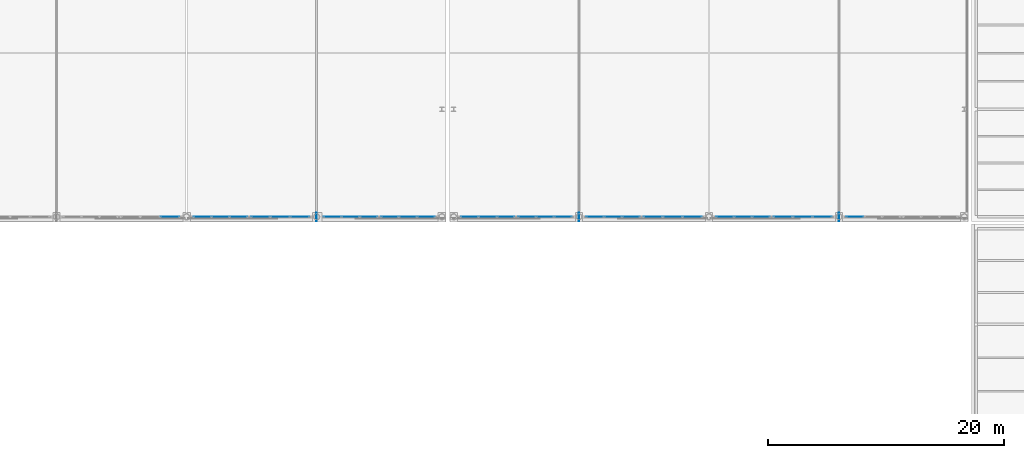
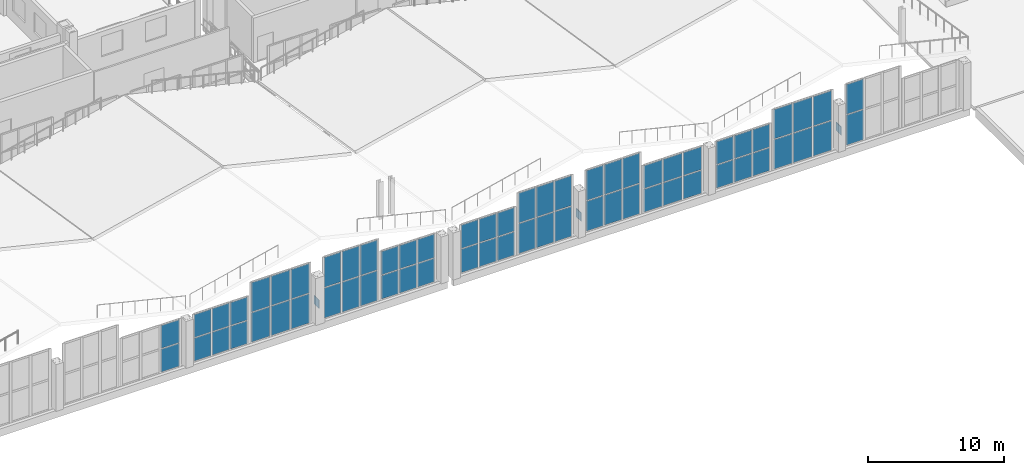
# One storey, part 81 of 120: 67 plates, 12 elements without a shape of their own.
"""IFC4 building model written with IfcOpenShell, lengths in metres."""

from ifc_helpers import new_model, si_unit, direction, frame, origin, origin_2d, place, context, subcontext, project, spatial, rectangle, extrude, material, layer, layer_set, type_object, element, aggregate, save


model = new_model("IFC4")

# Units and contexts
model_context = context("Model", 3, precision=1e-05, world=origin(), true_north=direction((0.0, 1.0)))
body_context = subcontext(model_context, "Body", "Model", "MODEL_VIEW")
ifc_project = project(units=[si_unit("LENGTHUNIT", "METRE"), si_unit("AREAUNIT", "SQUARE_METRE"), si_unit("VOLUMEUNIT", "CUBIC_METRE"), si_unit("PLANEANGLEUNIT", "RADIAN"), si_unit("MASSUNIT", "GRAM", prefix="KILO")], contexts=[model_context])

# Site, building, storey
site_placement = place(None, origin())
site = spatial("IfcSite", under=ifc_project, at=site_placement, CompositionType="ELEMENT")
building_placement = place(site_placement, origin())
building = spatial("IfcBuilding", under=site, at=building_placement, Name="Caurita Quay Ferry Terminal", CompositionType="ELEMENT")
storey_placement = place(building_placement, frame((0.0, 0.0, 9.89990234375)))
storey = spatial("IfcBuildingStorey", under=building, at=storey_placement, Name="L02", CompositionType="ELEMENT", Elevation=9.89990234375)

# Curtain wall, plates
ifc_material_1 = material(Name="Laminated solar-control insulated glass", Category="glass")
curtain_wall_type_1 = type_object("IfcCurtainWallType", Name="CW-SYS-04", PredefinedType="NOTDEFINED", material=ifc_material_1)
curtain_wall_1_placement = place(storey_placement, origin())
curtain_wall_1 = element("IfcCurtainWall", 1, at=curtain_wall_1_placement, inside=storey, type_object=curtain_wall_type_1, Name="Folded Roof Clerestory FB-03-S4", PredefinedType="NOTDEFINED")
ifc_layer_1 = layer(ifc_material_1, 0.028076171875, Name="Laminated low-e hurricane-rated glazing unit 28 mm")
ifc_layer_set_1 = layer_set([ifc_layer_1], Name="Laminated solar-control insulated glass")
plate_type_1 = type_object("IfcPlateType", Name="CW-PNL-28", PredefinedType="CURTAIN_PANEL", material=ifc_layer_set_1)
plate_1_placement = place(storey_placement, frame((64.589599609375, 34.60009765625, 0.0732421875), z_axis=(0.0, 0.0, 1.0), x_axis=(1.0, 0.0, 0.0)))
plate_1 = element("IfcPlate", 2, at=plate_1_placement, type_object=plate_type_1, Name="CW-CLR-020 Glazing Panel 5", PredefinedType="CURTAIN_PANEL", context=body_context, shape_type="SweptSolid", body=[
    extrude(rectangle(XDim=1.57470703125, YDim=0.028076171875, at=origin_2d()), origin(), (0.0, 0.0, 1.0), 2.048095703125),
])
plate_2_placement = place(storey_placement, frame((64.589599609375, 34.60009765625, 2.19189453125), z_axis=(0.0, 0.0, 1.0), x_axis=(1.0, 0.0, 0.0)))
plate_2 = element("IfcPlate", 3, at=plate_2_placement, type_object=plate_type_1, Name="CW-CLR-020 Glazing Panel 6", PredefinedType="CURTAIN_PANEL", context=body_context, shape_type="SweptSolid", body=[
    extrude(rectangle(XDim=1.57470703125, YDim=0.028076171875, at=origin_2d()), origin(), (0.0, 0.0, 1.0), 2.048095703125),
])
aggregate(curtain_wall_1, [plate_1, plate_2])

curtain_wall_type_2 = type_object("IfcCurtainWallType", Name="CW-SYS-01", PredefinedType="NOTDEFINED", material=ifc_material_1)
curtain_wall_2_placement = place(storey_placement, origin())
curtain_wall_2 = element("IfcCurtainWall", 4, at=curtain_wall_2_placement, inside=storey, type_object=curtain_wall_type_2, Name="Folded Roof Clerestory FB-04-S1", PredefinedType="NOTDEFINED")
plate_3_placement = place(storey_placement, frame((67.34375, 34.60009765625, 0.0732421875), z_axis=(0.0, 0.0, 1.0), x_axis=(1.0, 0.0, 0.0)))
plate_3 = element("IfcPlate", 5, at=plate_3_placement, type_object=plate_type_1, Name="CW-CLR-025 Glazing Panel 1", PredefinedType="CURTAIN_PANEL", context=body_context, shape_type="SweptSolid", body=[
    extrude(rectangle(XDim=1.44140625, YDim=0.028076171875, at=origin_2d()), origin(), (0.0, 0.0, 1.0), 2.048095703125),
])
plate_4_placement = place(storey_placement, frame((67.34375, 34.60009765625, 2.19189453125), z_axis=(0.0, 0.0, 1.0), x_axis=(1.0, 0.0, 0.0)))
plate_4 = element("IfcPlate", 6, at=plate_4_placement, type_object=plate_type_1, Name="CW-CLR-025 Glazing Panel 2", PredefinedType="CURTAIN_PANEL", context=body_context, shape_type="SweptSolid", body=[
    extrude(rectangle(XDim=1.44140625, YDim=0.028076171875, at=origin_2d()), origin(), (0.0, 0.0, 1.0), 2.048095703125),
])
plate_5_placement = place(storey_placement, frame((68.875, 34.60009765625, 0.0732421875), z_axis=(0.0, 0.0, 1.0), x_axis=(1.0, 0.0, 0.0)))
plate_5 = element("IfcPlate", 7, at=plate_5_placement, type_object=plate_type_1, Name="CW-CLR-025 Glazing Panel 3", PredefinedType="CURTAIN_PANEL", context=body_context, shape_type="SweptSolid", body=[
    extrude(rectangle(XDim=1.47900390625, YDim=0.028076171875, at=origin_2d()), origin(), (0.0, 0.0, 1.0), 2.048095703125),
])
plate_6_placement = place(storey_placement, frame((68.875, 34.60009765625, 2.19189453125), z_axis=(0.0, 0.0, 1.0), x_axis=(1.0, 0.0, 0.0)))
plate_6 = element("IfcPlate", 8, at=plate_6_placement, type_object=plate_type_1, Name="CW-CLR-025 Glazing Panel 4", PredefinedType="CURTAIN_PANEL", context=body_context, shape_type="SweptSolid", body=[
    extrude(rectangle(XDim=1.47900390625, YDim=0.028076171875, at=origin_2d()), origin(), (0.0, 0.0, 1.0), 2.048095703125),
])
plate_7_placement = place(storey_placement, frame((70.40625, 34.60009765625, 0.0732421875), z_axis=(0.0, 0.0, 1.0), x_axis=(1.0, 0.0, 0.0)))
plate_7 = element("IfcPlate", 9, at=plate_7_placement, type_object=plate_type_1, Name="CW-CLR-025 Glazing Panel 5", PredefinedType="CURTAIN_PANEL", context=body_context, shape_type="SweptSolid", body=[
    extrude(rectangle(XDim=1.44140625, YDim=0.028076171875, at=origin_2d()), origin(), (0.0, 0.0, 1.0), 2.048095703125),
])
plate_8_placement = place(storey_placement, frame((70.40625, 34.60009765625, 2.19189453125), z_axis=(0.0, 0.0, 1.0), x_axis=(1.0, 0.0, 0.0)))
plate_8 = element("IfcPlate", 10, at=plate_8_placement, type_object=plate_type_1, Name="CW-CLR-025 Glazing Panel 6", PredefinedType="CURTAIN_PANEL", context=body_context, shape_type="SweptSolid", body=[
    extrude(rectangle(XDim=1.44140625, YDim=0.028076171875, at=origin_2d()), origin(), (0.0, 0.0, 1.0), 2.048095703125),
])
aggregate(curtain_wall_2, [plate_3, plate_4, plate_5, plate_6, plate_7, plate_8])

curtain_wall_type_3 = type_object("IfcCurtainWallType", Name="CW-SYS-02", PredefinedType="NOTDEFINED", material=ifc_material_1)
curtain_wall_3_placement = place(storey_placement, origin())
curtain_wall_3 = element("IfcCurtainWall", 11, at=curtain_wall_3_placement, inside=storey, type_object=curtain_wall_type_3, Name="Folded Roof Clerestory FB-04-S2", PredefinedType="NOTDEFINED")
plate_9_placement = place(storey_placement, frame((72.260498046875, 34.60009765625, 0.0732421875), z_axis=(0.0, 0.0, 1.0), x_axis=(1.0, 0.0, 0.0)))
plate_9 = element("IfcPlate", 12, at=plate_9_placement, type_object=plate_type_1, Name="CW-CLR-026 Glazing Panel 1", PredefinedType="CURTAIN_PANEL", context=body_context, shape_type="SweptSolid", body=[
    extrude(rectangle(XDim=1.57470703125, YDim=0.028076171875, at=origin_2d()), origin(), (0.0, 0.0, 1.0), 2.6298828125),
])
plate_10_placement = place(storey_placement, frame((72.260498046875, 34.60009765625, 2.774169921875), z_axis=(0.0, 0.0, 1.0), x_axis=(1.0, 0.0, 0.0)))
plate_10 = element("IfcPlate", 13, at=plate_10_placement, type_object=plate_type_1, Name="CW-CLR-026 Glazing Panel 2", PredefinedType="CURTAIN_PANEL", context=body_context, shape_type="SweptSolid", body=[
    extrude(rectangle(XDim=1.57470703125, YDim=0.028076171875, at=origin_2d()), origin(), (0.0, 0.0, 1.0), 2.6298828125),
])
plate_11_placement = place(storey_placement, frame((73.925048828125, 34.60009765625, 0.0732421875), z_axis=(0.0, 0.0, 1.0), x_axis=(1.0, 0.0, 0.0)))
plate_11 = element("IfcPlate", 14, at=plate_11_placement, type_object=plate_type_1, Name="CW-CLR-026 Glazing Panel 3", PredefinedType="CURTAIN_PANEL", context=body_context, shape_type="SweptSolid", body=[
    extrude(rectangle(XDim=1.6123046875, YDim=0.028076171875, at=origin_2d()), origin(), (0.0, 0.0, 1.0), 2.6298828125),
])
plate_12_placement = place(storey_placement, frame((73.925048828125, 34.60009765625, 2.774169921875), z_axis=(0.0, 0.0, 1.0), x_axis=(1.0, 0.0, 0.0)))
plate_12 = element("IfcPlate", 15, at=plate_12_placement, type_object=plate_type_1, Name="CW-CLR-026 Glazing Panel 4", PredefinedType="CURTAIN_PANEL", context=body_context, shape_type="SweptSolid", body=[
    extrude(rectangle(XDim=1.6123046875, YDim=0.028076171875, at=origin_2d()), origin(), (0.0, 0.0, 1.0), 2.6298828125),
])
plate_13_placement = place(storey_placement, frame((75.589599609375, 34.60009765625, 0.0732421875), z_axis=(0.0, 0.0, 1.0), x_axis=(1.0, 0.0, 0.0)))
plate_13 = element("IfcPlate", 16, at=plate_13_placement, type_object=plate_type_1, Name="CW-CLR-026 Glazing Panel 5", PredefinedType="CURTAIN_PANEL", context=body_context, shape_type="SweptSolid", body=[
    extrude(rectangle(XDim=1.57470703125, YDim=0.028076171875, at=origin_2d()), origin(), (0.0, 0.0, 1.0), 2.6298828125),
])
plate_14_placement = place(storey_placement, frame((75.589599609375, 34.60009765625, 2.774169921875), z_axis=(0.0, 0.0, 1.0), x_axis=(1.0, 0.0, 0.0)))
plate_14 = element("IfcPlate", 17, at=plate_14_placement, type_object=plate_type_1, Name="CW-CLR-026 Glazing Panel 6", PredefinedType="CURTAIN_PANEL", context=body_context, shape_type="SweptSolid", body=[
    extrude(rectangle(XDim=1.57470703125, YDim=0.028076171875, at=origin_2d()), origin(), (0.0, 0.0, 1.0), 2.6298828125),
])
aggregate(curtain_wall_3, [plate_9, plate_10, plate_11, plate_12, plate_13, plate_14])

curtain_wall_type_4 = type_object("IfcCurtainWallType", Name="CW-SYS-03", PredefinedType="NOTDEFINED", material=ifc_material_1)
curtain_wall_4_placement = place(storey_placement, origin())
curtain_wall_4 = element("IfcCurtainWall", 18, at=curtain_wall_4_placement, inside=storey, type_object=curtain_wall_type_4, Name="Folded Roof Clerestory FB-04-S3", PredefinedType="NOTDEFINED")
plate_15_placement = place(storey_placement, frame((78.34375, 34.60009765625, 0.0732421875), z_axis=(0.0, 0.0, 1.0), x_axis=(1.0, 0.0, 0.0)))
plate_15 = element("IfcPlate", 19, at=plate_15_placement, type_object=plate_type_1, Name="CW-CLR-027 Glazing Panel 1", PredefinedType="CURTAIN_PANEL", context=body_context, shape_type="SweptSolid", body=[
    extrude(rectangle(XDim=1.44140625, YDim=0.028076171875, at=origin_2d()), origin(), (0.0, 0.0, 1.0), 2.677978515625),
])
plate_16_placement = place(storey_placement, frame((78.34375, 34.60009765625, 2.822265625), z_axis=(0.0, 0.0, 1.0), x_axis=(1.0, 0.0, 0.0)))
plate_16 = element("IfcPlate", 20, at=plate_16_placement, type_object=plate_type_1, Name="CW-CLR-027 Glazing Panel 2", PredefinedType="CURTAIN_PANEL", context=body_context, shape_type="SweptSolid", body=[
    extrude(rectangle(XDim=1.44140625, YDim=0.028076171875, at=origin_2d()), origin(), (0.0, 0.0, 1.0), 2.677978515625),
])
plate_17_placement = place(storey_placement, frame((79.875, 34.60009765625, 0.0732421875), z_axis=(0.0, 0.0, 1.0), x_axis=(1.0, 0.0, 0.0)))
plate_17 = element("IfcPlate", 21, at=plate_17_placement, type_object=plate_type_1, Name="CW-CLR-027 Glazing Panel 3", PredefinedType="CURTAIN_PANEL", context=body_context, shape_type="SweptSolid", body=[
    extrude(rectangle(XDim=1.47900390625, YDim=0.028076171875, at=origin_2d()), origin(), (0.0, 0.0, 1.0), 2.677978515625),
])
plate_18_placement = place(storey_placement, frame((79.875, 34.60009765625, 2.822265625), z_axis=(0.0, 0.0, 1.0), x_axis=(1.0, 0.0, 0.0)))
plate_18 = element("IfcPlate", 22, at=plate_18_placement, type_object=plate_type_1, Name="CW-CLR-027 Glazing Panel 4", PredefinedType="CURTAIN_PANEL", context=body_context, shape_type="SweptSolid", body=[
    extrude(rectangle(XDim=1.47900390625, YDim=0.028076171875, at=origin_2d()), origin(), (0.0, 0.0, 1.0), 2.677978515625),
])
plate_19_placement = place(storey_placement, frame((81.40625, 34.60009765625, 0.0732421875), z_axis=(0.0, 0.0, 1.0), x_axis=(1.0, 0.0, 0.0)))
plate_19 = element("IfcPlate", 23, at=plate_19_placement, type_object=plate_type_1, Name="CW-CLR-027 Glazing Panel 5", PredefinedType="CURTAIN_PANEL", context=body_context, shape_type="SweptSolid", body=[
    extrude(rectangle(XDim=1.44140625, YDim=0.028076171875, at=origin_2d()), origin(), (0.0, 0.0, 1.0), 2.677978515625),
])
plate_20_placement = place(storey_placement, frame((81.40625, 34.60009765625, 2.822265625), z_axis=(0.0, 0.0, 1.0), x_axis=(1.0, 0.0, 0.0)))
plate_20 = element("IfcPlate", 24, at=plate_20_placement, type_object=plate_type_1, Name="CW-CLR-027 Glazing Panel 6", PredefinedType="CURTAIN_PANEL", context=body_context, shape_type="SweptSolid", body=[
    extrude(rectangle(XDim=1.44140625, YDim=0.028076171875, at=origin_2d()), origin(), (0.0, 0.0, 1.0), 2.677978515625),
])
aggregate(curtain_wall_4, [plate_15, plate_16, plate_17, plate_18, plate_19, plate_20])

curtain_wall_type_5 = type_object("IfcCurtainWallType", Name="CW-SYS-07", PredefinedType="NOTDEFINED", material=ifc_material_1)
curtain_wall_5_placement = place(storey_placement, origin())
curtain_wall_5 = element("IfcCurtainWall", 25, at=curtain_wall_5_placement, inside=storey, type_object=curtain_wall_type_5, Name="Folded Roof Clerestory FB-04-S4", PredefinedType="NOTDEFINED")
plate_21_placement = place(storey_placement, frame((83.19384765625, 34.60009765625, 0.0732421875), z_axis=(0.0, 0.0, 1.0), x_axis=(1.0, 0.0, 0.0)))
plate_21 = element("IfcPlate", 26, at=plate_21_placement, type_object=plate_type_1, Name="CW-CLR-028 Glazing Panel 1", PredefinedType="CURTAIN_PANEL", context=body_context, shape_type="SweptSolid", body=[
    extrude(rectangle(XDim=1.44140625, YDim=0.028076171875, at=origin_2d()), origin(), (0.0, 0.0, 1.0), 2.095947265625),
])
plate_22_placement = place(storey_placement, frame((83.19384765625, 34.60009765625, 2.240234375), z_axis=(0.0, 0.0, 1.0), x_axis=(1.0, 0.0, 0.0)))
plate_22 = element("IfcPlate", 27, at=plate_22_placement, type_object=plate_type_1, Name="CW-CLR-028 Glazing Panel 2", PredefinedType="CURTAIN_PANEL", context=body_context, shape_type="SweptSolid", body=[
    extrude(rectangle(XDim=1.44140625, YDim=0.028076171875, at=origin_2d()), origin(), (0.0, 0.0, 1.0), 2.095947265625),
])
plate_23_placement = place(storey_placement, frame((84.72509765625, 34.60009765625, 0.0732421875), z_axis=(0.0, 0.0, 1.0), x_axis=(1.0, 0.0, 0.0)))
plate_23 = element("IfcPlate", 28, at=plate_23_placement, type_object=plate_type_1, Name="CW-CLR-028 Glazing Panel 3", PredefinedType="CURTAIN_PANEL", context=body_context, shape_type="SweptSolid", body=[
    extrude(rectangle(XDim=1.47900390625, YDim=0.028076171875, at=origin_2d()), origin(), (0.0, 0.0, 1.0), 2.095947265625),
])
plate_24_placement = place(storey_placement, frame((84.72509765625, 34.60009765625, 2.240234375), z_axis=(0.0, 0.0, 1.0), x_axis=(1.0, 0.0, 0.0)))
plate_24 = element("IfcPlate", 29, at=plate_24_placement, type_object=plate_type_1, Name="CW-CLR-028 Glazing Panel 4", PredefinedType="CURTAIN_PANEL", context=body_context, shape_type="SweptSolid", body=[
    extrude(rectangle(XDim=1.47900390625, YDim=0.028076171875, at=origin_2d()), origin(), (0.0, 0.0, 1.0), 2.095947265625),
])
plate_25_placement = place(storey_placement, frame((86.256103515625, 34.60009765625, 0.0732421875), z_axis=(0.0, 0.0, 1.0), x_axis=(1.0, 0.0, 0.0)))
plate_25 = element("IfcPlate", 30, at=plate_25_placement, type_object=plate_type_1, Name="CW-CLR-028 Glazing Panel 5", PredefinedType="CURTAIN_PANEL", context=body_context, shape_type="SweptSolid", body=[
    extrude(rectangle(XDim=1.44140625, YDim=0.028076171875, at=origin_2d()), origin(), (0.0, 0.0, 1.0), 2.095947265625),
])
plate_26_placement = place(storey_placement, frame((86.256103515625, 34.60009765625, 2.240234375), z_axis=(0.0, 0.0, 1.0), x_axis=(1.0, 0.0, 0.0)))
plate_26 = element("IfcPlate", 31, at=plate_26_placement, type_object=plate_type_1, Name="CW-CLR-028 Glazing Panel 6", PredefinedType="CURTAIN_PANEL", context=body_context, shape_type="SweptSolid", body=[
    extrude(rectangle(XDim=1.44140625, YDim=0.028076171875, at=origin_2d()), origin(), (0.0, 0.0, 1.0), 2.095947265625),
])
aggregate(curtain_wall_5, [plate_21, plate_22, plate_23, plate_24, plate_25, plate_26])

curtain_wall_6_placement = place(storey_placement, origin())
curtain_wall_6 = element("IfcCurtainWall", 32, at=curtain_wall_6_placement, inside=storey, type_object=curtain_wall_type_5, Name="Folded Roof Clerestory FB-05-S1", PredefinedType="NOTDEFINED")
plate_27_placement = place(storey_placement, frame((89.94384765625, 34.60009765625, 0.0732421875), z_axis=(0.0, 0.0, 1.0), x_axis=(1.0, 0.0, 0.0)))
plate_27 = element("IfcPlate", 33, at=plate_27_placement, type_object=plate_type_1, Name="CW-CLR-033 Glazing Panel 1", PredefinedType="CURTAIN_PANEL", context=body_context, shape_type="SweptSolid", body=[
    extrude(rectangle(XDim=1.44140625, YDim=0.028076171875, at=origin_2d()), origin(), (0.0, 0.0, 1.0), 2.095947265625),
])
plate_28_placement = place(storey_placement, frame((89.94384765625, 34.60009765625, 2.240234375), z_axis=(0.0, 0.0, 1.0), x_axis=(1.0, 0.0, 0.0)))
plate_28 = element("IfcPlate", 34, at=plate_28_placement, type_object=plate_type_1, Name="CW-CLR-033 Glazing Panel 2", PredefinedType="CURTAIN_PANEL", context=body_context, shape_type="SweptSolid", body=[
    extrude(rectangle(XDim=1.44140625, YDim=0.028076171875, at=origin_2d()), origin(), (0.0, 0.0, 1.0), 2.095947265625),
])
plate_29_placement = place(storey_placement, frame((91.47509765625, 34.60009765625, 0.0732421875), z_axis=(0.0, 0.0, 1.0), x_axis=(1.0, 0.0, 0.0)))
plate_29 = element("IfcPlate", 35, at=plate_29_placement, type_object=plate_type_1, Name="CW-CLR-033 Glazing Panel 3", PredefinedType="CURTAIN_PANEL", context=body_context, shape_type="SweptSolid", body=[
    extrude(rectangle(XDim=1.47900390625, YDim=0.028076171875, at=origin_2d()), origin(), (0.0, 0.0, 1.0), 2.095947265625),
])
plate_30_placement = place(storey_placement, frame((91.47509765625, 34.60009765625, 2.240234375), z_axis=(0.0, 0.0, 1.0), x_axis=(1.0, 0.0, 0.0)))
plate_30 = element("IfcPlate", 36, at=plate_30_placement, type_object=plate_type_1, Name="CW-CLR-033 Glazing Panel 4", PredefinedType="CURTAIN_PANEL", context=body_context, shape_type="SweptSolid", body=[
    extrude(rectangle(XDim=1.47900390625, YDim=0.028076171875, at=origin_2d()), origin(), (0.0, 0.0, 1.0), 2.095947265625),
])
plate_31_placement = place(storey_placement, frame((93.006103515625, 34.60009765625, 0.0732421875), z_axis=(0.0, 0.0, 1.0), x_axis=(1.0, 0.0, 0.0)))
plate_31 = element("IfcPlate", 37, at=plate_31_placement, type_object=plate_type_1, Name="CW-CLR-033 Glazing Panel 5", PredefinedType="CURTAIN_PANEL", context=body_context, shape_type="SweptSolid", body=[
    extrude(rectangle(XDim=1.44140625, YDim=0.028076171875, at=origin_2d()), origin(), (0.0, 0.0, 1.0), 2.095947265625),
])
plate_32_placement = place(storey_placement, frame((93.006103515625, 34.60009765625, 2.240234375), z_axis=(0.0, 0.0, 1.0), x_axis=(1.0, 0.0, 0.0)))
plate_32 = element("IfcPlate", 38, at=plate_32_placement, type_object=plate_type_1, Name="CW-CLR-033 Glazing Panel 6", PredefinedType="CURTAIN_PANEL", context=body_context, shape_type="SweptSolid", body=[
    extrude(rectangle(XDim=1.44140625, YDim=0.028076171875, at=origin_2d()), origin(), (0.0, 0.0, 1.0), 2.095947265625),
])
aggregate(curtain_wall_6, [plate_27, plate_28, plate_29, plate_30, plate_31, plate_32])

curtain_wall_7_placement = place(storey_placement, origin())
curtain_wall_7 = element("IfcCurtainWall", 39, at=curtain_wall_7_placement, inside=storey, type_object=curtain_wall_type_4, Name="Folded Roof Clerestory FB-05-S2", PredefinedType="NOTDEFINED")
plate_33_placement = place(storey_placement, frame((94.793701171875, 34.60009765625, 0.0732421875), z_axis=(0.0, 0.0, 1.0), x_axis=(1.0, 0.0, 0.0)))
plate_33 = element("IfcPlate", 40, at=plate_33_placement, type_object=plate_type_1, Name="CW-CLR-034 Glazing Panel 1", PredefinedType="CURTAIN_PANEL", context=body_context, shape_type="SweptSolid", body=[
    extrude(rectangle(XDim=1.44140625, YDim=0.028076171875, at=origin_2d()), origin(), (0.0, 0.0, 1.0), 2.677978515625),
])
plate_34_placement = place(storey_placement, frame((94.793701171875, 34.60009765625, 2.822265625), z_axis=(0.0, 0.0, 1.0), x_axis=(1.0, 0.0, 0.0)))
plate_34 = element("IfcPlate", 41, at=plate_34_placement, type_object=plate_type_1, Name="CW-CLR-034 Glazing Panel 2", PredefinedType="CURTAIN_PANEL", context=body_context, shape_type="SweptSolid", body=[
    extrude(rectangle(XDim=1.44140625, YDim=0.028076171875, at=origin_2d()), origin(), (0.0, 0.0, 1.0), 2.677978515625),
])
plate_35_placement = place(storey_placement, frame((96.324951171875, 34.60009765625, 0.0732421875), z_axis=(0.0, 0.0, 1.0), x_axis=(1.0, 0.0, 0.0)))
plate_35 = element("IfcPlate", 42, at=plate_35_placement, type_object=plate_type_1, Name="CW-CLR-034 Glazing Panel 3", PredefinedType="CURTAIN_PANEL", context=body_context, shape_type="SweptSolid", body=[
    extrude(rectangle(XDim=1.47900390625, YDim=0.028076171875, at=origin_2d()), origin(), (0.0, 0.0, 1.0), 2.677978515625),
])
plate_36_placement = place(storey_placement, frame((96.324951171875, 34.60009765625, 2.822265625), z_axis=(0.0, 0.0, 1.0), x_axis=(1.0, 0.0, 0.0)))
plate_36 = element("IfcPlate", 43, at=plate_36_placement, type_object=plate_type_1, Name="CW-CLR-034 Glazing Panel 4", PredefinedType="CURTAIN_PANEL", context=body_context, shape_type="SweptSolid", body=[
    extrude(rectangle(XDim=1.47900390625, YDim=0.028076171875, at=origin_2d()), origin(), (0.0, 0.0, 1.0), 2.677978515625),
])
plate_37_placement = place(storey_placement, frame((97.856201171875, 34.60009765625, 0.0732421875), z_axis=(0.0, 0.0, 1.0), x_axis=(1.0, 0.0, 0.0)))
plate_37 = element("IfcPlate", 44, at=plate_37_placement, type_object=plate_type_1, Name="CW-CLR-034 Glazing Panel 5", PredefinedType="CURTAIN_PANEL", context=body_context, shape_type="SweptSolid", body=[
    extrude(rectangle(XDim=1.44140625, YDim=0.028076171875, at=origin_2d()), origin(), (0.0, 0.0, 1.0), 2.677978515625),
])
plate_38_placement = place(storey_placement, frame((97.856201171875, 34.60009765625, 2.822265625), z_axis=(0.0, 0.0, 1.0), x_axis=(1.0, 0.0, 0.0)))
plate_38 = element("IfcPlate", 45, at=plate_38_placement, type_object=plate_type_1, Name="CW-CLR-034 Glazing Panel 6", PredefinedType="CURTAIN_PANEL", context=body_context, shape_type="SweptSolid", body=[
    extrude(rectangle(XDim=1.44140625, YDim=0.028076171875, at=origin_2d()), origin(), (0.0, 0.0, 1.0), 2.677978515625),
])
aggregate(curtain_wall_7, [plate_33, plate_34, plate_35, plate_36, plate_37, plate_38])

curtain_wall_8_placement = place(storey_placement, origin())
curtain_wall_8 = element("IfcCurtainWall", 46, at=curtain_wall_8_placement, inside=storey, type_object=curtain_wall_type_4, Name="Folded Roof Clerestory FB-05-S3", PredefinedType="NOTDEFINED")
plate_39_placement = place(storey_placement, frame((100.543701171875, 34.60009765625, 0.0732421875), z_axis=(0.0, 0.0, 1.0), x_axis=(1.0, 0.0, 0.0)))
plate_39 = element("IfcPlate", 47, at=plate_39_placement, type_object=plate_type_1, Name="CW-CLR-035 Glazing Panel 1", PredefinedType="CURTAIN_PANEL", context=body_context, shape_type="SweptSolid", body=[
    extrude(rectangle(XDim=1.44140625, YDim=0.028076171875, at=origin_2d()), origin(), (0.0, 0.0, 1.0), 2.677978515625),
])
plate_40_placement = place(storey_placement, frame((100.543701171875, 34.60009765625, 2.822265625), z_axis=(0.0, 0.0, 1.0), x_axis=(1.0, 0.0, 0.0)))
plate_40 = element("IfcPlate", 48, at=plate_40_placement, type_object=plate_type_1, Name="CW-CLR-035 Glazing Panel 2", PredefinedType="CURTAIN_PANEL", context=body_context, shape_type="SweptSolid", body=[
    extrude(rectangle(XDim=1.44140625, YDim=0.028076171875, at=origin_2d()), origin(), (0.0, 0.0, 1.0), 2.677978515625),
])
plate_41_placement = place(storey_placement, frame((102.074951171875, 34.60009765625, 0.0732421875), z_axis=(0.0, 0.0, 1.0), x_axis=(1.0, 0.0, 0.0)))
plate_41 = element("IfcPlate", 49, at=plate_41_placement, type_object=plate_type_1, Name="CW-CLR-035 Glazing Panel 3", PredefinedType="CURTAIN_PANEL", context=body_context, shape_type="SweptSolid", body=[
    extrude(rectangle(XDim=1.47900390625, YDim=0.028076171875, at=origin_2d()), origin(), (0.0, 0.0, 1.0), 2.677978515625),
])
plate_42_placement = place(storey_placement, frame((102.074951171875, 34.60009765625, 2.822265625), z_axis=(0.0, 0.0, 1.0), x_axis=(1.0, 0.0, 0.0)))
plate_42 = element("IfcPlate", 50, at=plate_42_placement, type_object=plate_type_1, Name="CW-CLR-035 Glazing Panel 4", PredefinedType="CURTAIN_PANEL", context=body_context, shape_type="SweptSolid", body=[
    extrude(rectangle(XDim=1.47900390625, YDim=0.028076171875, at=origin_2d()), origin(), (0.0, 0.0, 1.0), 2.677978515625),
])
plate_43_placement = place(storey_placement, frame((103.606201171875, 34.60009765625, 0.0732421875), z_axis=(0.0, 0.0, 1.0), x_axis=(1.0, 0.0, 0.0)))
plate_43 = element("IfcPlate", 51, at=plate_43_placement, type_object=plate_type_1, Name="CW-CLR-035 Glazing Panel 5", PredefinedType="CURTAIN_PANEL", context=body_context, shape_type="SweptSolid", body=[
    extrude(rectangle(XDim=1.44140625, YDim=0.028076171875, at=origin_2d()), origin(), (0.0, 0.0, 1.0), 2.677978515625),
])
plate_44_placement = place(storey_placement, frame((103.606201171875, 34.60009765625, 2.822265625), z_axis=(0.0, 0.0, 1.0), x_axis=(1.0, 0.0, 0.0)))
plate_44 = element("IfcPlate", 52, at=plate_44_placement, type_object=plate_type_1, Name="CW-CLR-035 Glazing Panel 6", PredefinedType="CURTAIN_PANEL", context=body_context, shape_type="SweptSolid", body=[
    extrude(rectangle(XDim=1.44140625, YDim=0.028076171875, at=origin_2d()), origin(), (0.0, 0.0, 1.0), 2.677978515625),
])
aggregate(curtain_wall_8, [plate_39, plate_40, plate_41, plate_42, plate_43, plate_44])

curtain_wall_9_placement = place(storey_placement, origin())
curtain_wall_9 = element("IfcCurtainWall", 53, at=curtain_wall_9_placement, inside=storey, type_object=curtain_wall_type_1, Name="Folded Roof Clerestory FB-05-S4", PredefinedType="NOTDEFINED")
plate_45_placement = place(storey_placement, frame((105.46044921875, 34.60009765625, 0.0732421875), z_axis=(0.0, 0.0, 1.0), x_axis=(1.0, 0.0, 0.0)))
plate_45 = element("IfcPlate", 54, at=plate_45_placement, type_object=plate_type_1, Name="CW-CLR-036 Glazing Panel 1", PredefinedType="CURTAIN_PANEL", context=body_context, shape_type="SweptSolid", body=[
    extrude(rectangle(XDim=1.57470703125, YDim=0.028076171875, at=origin_2d()), origin(), (0.0, 0.0, 1.0), 2.048095703125),
])
plate_46_placement = place(storey_placement, frame((105.46044921875, 34.60009765625, 2.19189453125), z_axis=(0.0, 0.0, 1.0), x_axis=(1.0, 0.0, 0.0)))
plate_46 = element("IfcPlate", 55, at=plate_46_placement, type_object=plate_type_1, Name="CW-CLR-036 Glazing Panel 2", PredefinedType="CURTAIN_PANEL", context=body_context, shape_type="SweptSolid", body=[
    extrude(rectangle(XDim=1.57470703125, YDim=0.028076171875, at=origin_2d()), origin(), (0.0, 0.0, 1.0), 2.048095703125),
])
plate_47_placement = place(storey_placement, frame((107.125, 34.60009765625, 0.0732421875), z_axis=(0.0, 0.0, 1.0), x_axis=(1.0, 0.0, 0.0)))
plate_47 = element("IfcPlate", 56, at=plate_47_placement, type_object=plate_type_1, Name="CW-CLR-036 Glazing Panel 3", PredefinedType="CURTAIN_PANEL", context=body_context, shape_type="SweptSolid", body=[
    extrude(rectangle(XDim=1.6123046875, YDim=0.028076171875, at=origin_2d()), origin(), (0.0, 0.0, 1.0), 2.048095703125),
])
plate_48_placement = place(storey_placement, frame((107.125, 34.60009765625, 2.19189453125), z_axis=(0.0, 0.0, 1.0), x_axis=(1.0, 0.0, 0.0)))
plate_48 = element("IfcPlate", 57, at=plate_48_placement, type_object=plate_type_1, Name="CW-CLR-036 Glazing Panel 4", PredefinedType="CURTAIN_PANEL", context=body_context, shape_type="SweptSolid", body=[
    extrude(rectangle(XDim=1.6123046875, YDim=0.028076171875, at=origin_2d()), origin(), (0.0, 0.0, 1.0), 2.048095703125),
])
plate_49_placement = place(storey_placement, frame((108.78955078125, 34.60009765625, 0.0732421875), z_axis=(0.0, 0.0, 1.0), x_axis=(1.0, 0.0, 0.0)))
plate_49 = element("IfcPlate", 58, at=plate_49_placement, type_object=plate_type_1, Name="CW-CLR-036 Glazing Panel 5", PredefinedType="CURTAIN_PANEL", context=body_context, shape_type="SweptSolid", body=[
    extrude(rectangle(XDim=1.57470703125, YDim=0.028076171875, at=origin_2d()), origin(), (0.0, 0.0, 1.0), 2.048095703125),
])
plate_50_placement = place(storey_placement, frame((108.78955078125, 34.60009765625, 2.19189453125), z_axis=(0.0, 0.0, 1.0), x_axis=(1.0, 0.0, 0.0)))
plate_50 = element("IfcPlate", 59, at=plate_50_placement, type_object=plate_type_1, Name="CW-CLR-036 Glazing Panel 6", PredefinedType="CURTAIN_PANEL", context=body_context, shape_type="SweptSolid", body=[
    extrude(rectangle(XDim=1.57470703125, YDim=0.028076171875, at=origin_2d()), origin(), (0.0, 0.0, 1.0), 2.048095703125),
])
aggregate(curtain_wall_9, [plate_45, plate_46, plate_47, plate_48, plate_49, plate_50])

curtain_wall_10_placement = place(storey_placement, origin())
curtain_wall_10 = element("IfcCurtainWall", 60, at=curtain_wall_10_placement, inside=storey, type_object=curtain_wall_type_2, Name="Folded Roof Clerestory FB-06-S1", PredefinedType="NOTDEFINED")
plate_51_placement = place(storey_placement, frame((111.543701171875, 34.60009765625, 0.0732421875), z_axis=(0.0, 0.0, 1.0), x_axis=(1.0, 0.0, 0.0)))
plate_51 = element("IfcPlate", 61, at=plate_51_placement, type_object=plate_type_1, Name="CW-CLR-041 Glazing Panel 1", PredefinedType="CURTAIN_PANEL", context=body_context, shape_type="SweptSolid", body=[
    extrude(rectangle(XDim=1.44140625, YDim=0.028076171875, at=origin_2d()), origin(), (0.0, 0.0, 1.0), 2.048095703125),
])
plate_52_placement = place(storey_placement, frame((111.543701171875, 34.60009765625, 2.19189453125), z_axis=(0.0, 0.0, 1.0), x_axis=(1.0, 0.0, 0.0)))
plate_52 = element("IfcPlate", 62, at=plate_52_placement, type_object=plate_type_1, Name="CW-CLR-041 Glazing Panel 2", PredefinedType="CURTAIN_PANEL", context=body_context, shape_type="SweptSolid", body=[
    extrude(rectangle(XDim=1.44140625, YDim=0.028076171875, at=origin_2d()), origin(), (0.0, 0.0, 1.0), 2.048095703125),
])
plate_53_placement = place(storey_placement, frame((113.074951171875, 34.60009765625, 0.0732421875), z_axis=(0.0, 0.0, 1.0), x_axis=(1.0, 0.0, 0.0)))
plate_53 = element("IfcPlate", 63, at=plate_53_placement, type_object=plate_type_1, Name="CW-CLR-041 Glazing Panel 3", PredefinedType="CURTAIN_PANEL", context=body_context, shape_type="SweptSolid", body=[
    extrude(rectangle(XDim=1.47900390625, YDim=0.028076171875, at=origin_2d()), origin(), (0.0, 0.0, 1.0), 2.048095703125),
])
plate_54_placement = place(storey_placement, frame((113.074951171875, 34.60009765625, 2.19189453125), z_axis=(0.0, 0.0, 1.0), x_axis=(1.0, 0.0, 0.0)))
plate_54 = element("IfcPlate", 64, at=plate_54_placement, type_object=plate_type_1, Name="CW-CLR-041 Glazing Panel 4", PredefinedType="CURTAIN_PANEL", context=body_context, shape_type="SweptSolid", body=[
    extrude(rectangle(XDim=1.47900390625, YDim=0.028076171875, at=origin_2d()), origin(), (0.0, 0.0, 1.0), 2.048095703125),
])
plate_55_placement = place(storey_placement, frame((114.606201171875, 34.60009765625, 0.0732421875), z_axis=(0.0, 0.0, 1.0), x_axis=(1.0, 0.0, 0.0)))
plate_55 = element("IfcPlate", 65, at=plate_55_placement, type_object=plate_type_1, Name="CW-CLR-041 Glazing Panel 5", PredefinedType="CURTAIN_PANEL", context=body_context, shape_type="SweptSolid", body=[
    extrude(rectangle(XDim=1.44140625, YDim=0.028076171875, at=origin_2d()), origin(), (0.0, 0.0, 1.0), 2.048095703125),
])
plate_56_placement = place(storey_placement, frame((114.606201171875, 34.60009765625, 2.19189453125), z_axis=(0.0, 0.0, 1.0), x_axis=(1.0, 0.0, 0.0)))
plate_56 = element("IfcPlate", 66, at=plate_56_placement, type_object=plate_type_1, Name="CW-CLR-041 Glazing Panel 6", PredefinedType="CURTAIN_PANEL", context=body_context, shape_type="SweptSolid", body=[
    extrude(rectangle(XDim=1.44140625, YDim=0.028076171875, at=origin_2d()), origin(), (0.0, 0.0, 1.0), 2.048095703125),
])
aggregate(curtain_wall_10, [plate_51, plate_52, plate_53, plate_54, plate_55, plate_56])

curtain_wall_11_placement = place(storey_placement, origin())
curtain_wall_11 = element("IfcCurtainWall", 67, at=curtain_wall_11_placement, inside=storey, type_object=curtain_wall_type_3, Name="Folded Roof Clerestory FB-06-S2", PredefinedType="NOTDEFINED")
plate_57_placement = place(storey_placement, frame((116.46044921875, 34.60009765625, 0.0732421875), z_axis=(0.0, 0.0, 1.0), x_axis=(1.0, 0.0, 0.0)))
plate_57 = element("IfcPlate", 68, at=plate_57_placement, type_object=plate_type_1, Name="CW-CLR-042 Glazing Panel 1", PredefinedType="CURTAIN_PANEL", context=body_context, shape_type="SweptSolid", body=[
    extrude(rectangle(XDim=1.57470703125, YDim=0.028076171875, at=origin_2d()), origin(), (0.0, 0.0, 1.0), 2.6298828125),
])
plate_58_placement = place(storey_placement, frame((116.46044921875, 34.60009765625, 2.774169921875), z_axis=(0.0, 0.0, 1.0), x_axis=(1.0, 0.0, 0.0)))
plate_58 = element("IfcPlate", 69, at=plate_58_placement, type_object=plate_type_1, Name="CW-CLR-042 Glazing Panel 2", PredefinedType="CURTAIN_PANEL", context=body_context, shape_type="SweptSolid", body=[
    extrude(rectangle(XDim=1.57470703125, YDim=0.028076171875, at=origin_2d()), origin(), (0.0, 0.0, 1.0), 2.6298828125),
])
plate_59_placement = place(storey_placement, frame((118.125, 34.60009765625, 0.0732421875), z_axis=(0.0, 0.0, 1.0), x_axis=(1.0, 0.0, 0.0)))
plate_59 = element("IfcPlate", 70, at=plate_59_placement, type_object=plate_type_1, Name="CW-CLR-042 Glazing Panel 3", PredefinedType="CURTAIN_PANEL", context=body_context, shape_type="SweptSolid", body=[
    extrude(rectangle(XDim=1.6123046875, YDim=0.028076171875, at=origin_2d()), origin(), (0.0, 0.0, 1.0), 2.6298828125),
])
plate_60_placement = place(storey_placement, frame((118.125, 34.60009765625, 2.774169921875), z_axis=(0.0, 0.0, 1.0), x_axis=(1.0, 0.0, 0.0)))
plate_60 = element("IfcPlate", 71, at=plate_60_placement, type_object=plate_type_1, Name="CW-CLR-042 Glazing Panel 4", PredefinedType="CURTAIN_PANEL", context=body_context, shape_type="SweptSolid", body=[
    extrude(rectangle(XDim=1.6123046875, YDim=0.028076171875, at=origin_2d()), origin(), (0.0, 0.0, 1.0), 2.6298828125),
])
plate_61_placement = place(storey_placement, frame((119.78955078125, 34.60009765625, 0.0732421875), z_axis=(0.0, 0.0, 1.0), x_axis=(1.0, 0.0, 0.0)))
plate_61 = element("IfcPlate", 72, at=plate_61_placement, type_object=plate_type_1, Name="CW-CLR-042 Glazing Panel 5", PredefinedType="CURTAIN_PANEL", context=body_context, shape_type="SweptSolid", body=[
    extrude(rectangle(XDim=1.57470703125, YDim=0.028076171875, at=origin_2d()), origin(), (0.0, 0.0, 1.0), 2.6298828125),
])
plate_62_placement = place(storey_placement, frame((119.78955078125, 34.60009765625, 2.774169921875), z_axis=(0.0, 0.0, 1.0), x_axis=(1.0, 0.0, 0.0)))
plate_62 = element("IfcPlate", 73, at=plate_62_placement, type_object=plate_type_1, Name="CW-CLR-042 Glazing Panel 6", PredefinedType="CURTAIN_PANEL", context=body_context, shape_type="SweptSolid", body=[
    extrude(rectangle(XDim=1.57470703125, YDim=0.028076171875, at=origin_2d()), origin(), (0.0, 0.0, 1.0), 2.6298828125),
])
aggregate(curtain_wall_11, [plate_57, plate_58, plate_59, plate_60, plate_61, plate_62])

curtain_wall_12_placement = place(storey_placement, origin())
curtain_wall_12 = element("IfcCurtainWall", 74, at=curtain_wall_12_placement, inside=storey, type_object=curtain_wall_type_4, Name="Folded Roof Clerestory FB-06-S3", PredefinedType="NOTDEFINED")
plate_63_placement = place(storey_placement, frame((122.543701171875, 34.60009765625, 0.0732421875), z_axis=(0.0, 0.0, 1.0), x_axis=(1.0, 0.0, 0.0)))
plate_63 = element("IfcPlate", 75, at=plate_63_placement, type_object=plate_type_1, Name="CW-CLR-043 Glazing Panel 1", PredefinedType="CURTAIN_PANEL", context=body_context, shape_type="SweptSolid", body=[
    extrude(rectangle(XDim=1.44140625, YDim=0.028076171875, at=origin_2d()), origin(), (0.0, 0.0, 1.0), 2.677978515625),
])
plate_64_placement = place(storey_placement, frame((122.543701171875, 34.60009765625, 2.822265625), z_axis=(0.0, 0.0, 1.0), x_axis=(1.0, 0.0, 0.0)))
plate_64 = element("IfcPlate", 76, at=plate_64_placement, type_object=plate_type_1, Name="CW-CLR-043 Glazing Panel 2", PredefinedType="CURTAIN_PANEL", context=body_context, shape_type="SweptSolid", body=[
    extrude(rectangle(XDim=1.44140625, YDim=0.028076171875, at=origin_2d()), origin(), (0.0, 0.0, 1.0), 2.677978515625),
])
aggregate(curtain_wall_12, [plate_63, plate_64])

# Plates
ifc_material_2 = material(Name="Structural plate steel ASTM A572 Gr. 50", Category="steel")
ifc_layer_2 = layer(ifc_material_2, 0.048095703125, Name="Structural steel connection plate 48 mm")
ifc_layer_set_2 = layer_set([ifc_layer_2], Name="Structural plate steel ASTM A572 Gr. 50")
plate_type_2 = type_object("IfcPlateType", Name="PLT-STL-48", PredefinedType="USERDEFINED", material=ifc_layer_set_2)
for number, where, z_axis, x_axis, name in (
    (77, (77.0, 34.60009765625, 1.375), (0.0, 0.0, 1.0), (1.0, 0.0, 0.0), "Mast Collar Stay-Cable Gusset Plate V1-08-S"),
    (78, (99.199951171875, 34.60009765625, 1.375), (0.0, 0.0, 1.0), (1.0, 0.0, 0.0), "Mast Collar Stay-Cable Gusset Plate V2-02-S"),
    (79, (121.199951171875, 34.60009765625, 1.375), (0.0, 0.0, 1.0), (1.0, 0.0, 0.0), "Mast Collar Stay-Cable Gusset Plate V2-04-S"),
):
    element("IfcPlate", number, at=place(storey_placement, frame(where, z_axis=z_axis, x_axis=x_axis)), inside=storey, type_object=plate_type_2, Name=name, ObjectType="GUSSET PLATE", PredefinedType="USERDEFINED", context=body_context, shape_type="SweptSolid", body=[
        extrude(rectangle(XDim=0.048095703125, YDim=0.719970703125, at=origin_2d()), origin(), (0.0, 0.0, 1.0), 0.75),
    ])

save(model, "model.ifc")
